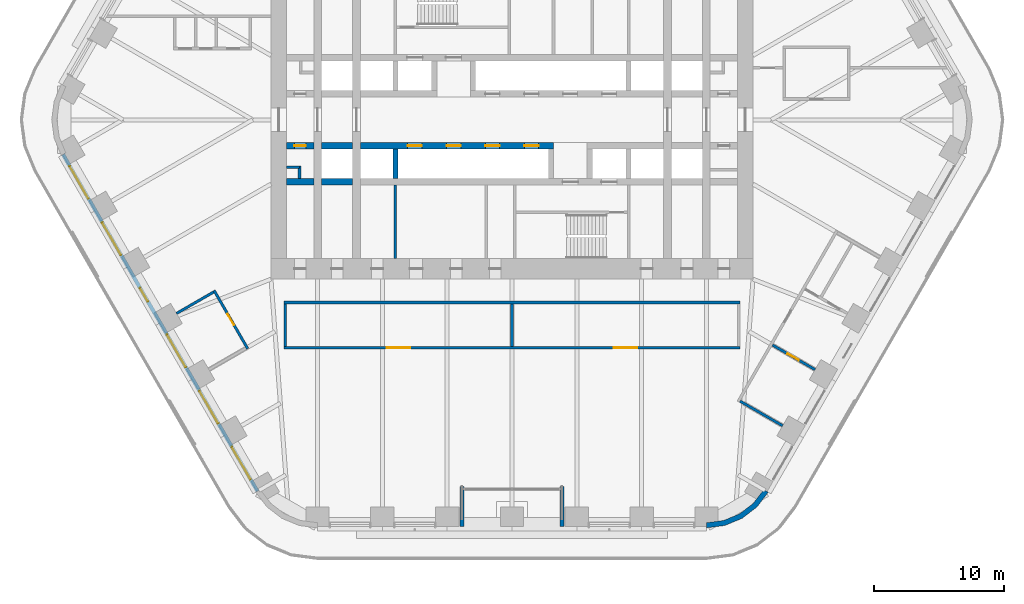
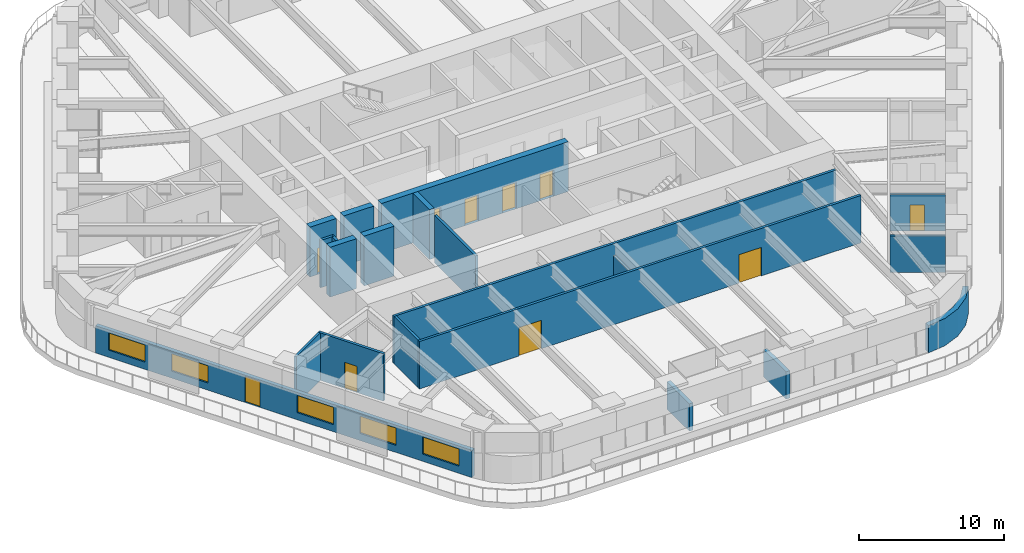
# One storey, part 17 of 24: 21 walls, 10 doors, 5 windows, 15 openings.
"""IFC4 building model written with IfcOpenShell, lengths in metres."""

import ifcopenshell
import ifcopenshell.guid

model = None  # the IFC model being written
_history = None  # IfcOwnerHistory: only IFC2X3 demands one
_inside = {}  # id of a spatial element -> (the spatial element, [elements in it])
_under = {}  # id of a project, library or spatial element -> (it, [spatial elements below it])
_declared = {}  # id of a project -> (the project, [libraries it declares])
_typed = {}  # id of a type object -> (the type object, [elements of that type])
_made_of = {}  # id of a material, layer set ... -> (it, [elements and type objects made of it])


def new_model(schema):
    """Start an empty IFC model of exactly this schema.

    Asked for "IFC4X3", IfcOpenShell would pick the latest addendum, in which some entities
    have other attributes; the version numbers below select the first issue.
    IFC2X3 requires an IfcOwnerHistory on every rooted entity: one is made here for all.
    """
    global model, _history
    if schema == "IFC4X3":
        model = ifcopenshell.file(schema_version=(4, 3, 0, 0))
    else:
        model = ifcopenshell.file(schema=schema)
    _inside.clear()
    _under.clear()
    _declared.clear()
    _typed.clear()
    _made_of.clear()
    _history = None
    if model.schema == "IFC2X3":
        org = make("IfcOrganization", Name="unknown")
        user = make(
            "IfcPersonAndOrganization",
            ThePerson=make("IfcPerson", FamilyName="unknown"),
            TheOrganization=org,
        )
        app = make(
            "IfcApplication",
            ApplicationDeveloper=org,
            Version="unknown",
            ApplicationFullName="unknown",
            ApplicationIdentifier="unknown",
        )
        _history = make(
            "IfcOwnerHistory",
            OwningUser=user,
            OwningApplication=app,
            ChangeAction="ADDED",
            CreationDate=0,
        )
    return model


def make(cls, **values):
    """One entity of the class cls with the attributes given. An attribute that is None is left unset."""
    return model.create_entity(
        cls, **{name: value for name, value in values.items() if value is not None}
    )


def rooted(cls, **values):
    """An entity with a GlobalId (a new one), such as an element, a storey or a relation."""
    return make(cls, GlobalId=ifcopenshell.guid.new(), OwnerHistory=_history, **values)


def si_unit(unit_type, name, prefix=None):
    """IfcSIUnit, for example si_unit("LENGTHUNIT", "METRE", prefix="MILLI")."""
    return make("IfcSIUnit", UnitType=unit_type, Prefix=prefix, Name=name)


def assignment(units):
    """IfcUnitAssignment: the units of a project."""
    return None if units is None else make("IfcUnitAssignment", Units=units)


def point(xyz):
    """IfcCartesianPoint."""
    return None if xyz is None else make("IfcCartesianPoint", Coordinates=xyz)


def direction(xyz):
    """IfcDirection."""
    return None if xyz is None else make("IfcDirection", DirectionRatios=xyz)


def frame(location, z_axis=None, x_axis=None):
    """IfcAxis2Placement3D, a coordinate frame: its origin and axes. An axis left out is left unset."""
    return make(
        "IfcAxis2Placement3D",
        Location=point(location),
        Axis=direction(z_axis),
        RefDirection=direction(x_axis),
    )


def frame_2d(location, x_axis=None):
    """IfcAxis2Placement2D, a coordinate frame in the plane: its origin and x axis."""
    return make(
        "IfcAxis2Placement2D", Location=point(location), RefDirection=direction(x_axis)
    )


def origin():
    """The frame at (0, 0, 0) with its axes left unset."""
    return frame((0.0, 0.0, 0.0))


def place(relative_to, where):
    """IfcLocalPlacement: puts the frame where relative to a parent placement (None: the world)."""
    return make(
        "IfcLocalPlacement", PlacementRelTo=relative_to, RelativePlacement=where
    )


def context(
    kind, dimensions, precision=None, world=None, true_north=None, identifier=None
):
    """IfcGeometricRepresentationContext, for example the 3D "Model" context."""
    return make(
        "IfcGeometricRepresentationContext",
        ContextIdentifier=identifier,
        ContextType=kind,
        CoordinateSpaceDimension=dimensions,
        Precision=precision,
        WorldCoordinateSystem=world,
        TrueNorth=true_north,
    )


def subcontext(parent, identifier, kind, view, scale=None):
    """IfcGeometricRepresentationSubContext, for example "Body" below "Model"."""
    return make(
        "IfcGeometricRepresentationSubContext",
        ContextIdentifier=identifier,
        ContextType=kind,
        ParentContext=parent,
        TargetScale=scale,
        TargetView=view,
    )


def project(units=None, contexts=None):
    """IfcProject with its units and contexts."""
    return rooted(
        "IfcProject",
        Name="project",
        RepresentationContexts=contexts,
        UnitsInContext=assignment(units),
    )


def spatial(cls, under=None, at=None, **own):
    """A site, building, storey or space (cls), placed at a placement, below another one or the project."""
    s = rooted(cls, ObjectPlacement=at, **own)
    if under is not None:
        _under.setdefault(under.id(), (under, []))[1].append(s)
    return s


def polyline(points):
    """IfcPolyline through the points."""
    return make("IfcPolyline", Points=[point(p) for p in points])


def profile(cls, at=None, kind="AREA", **sizes):
    """A parametric profile (cls). Its sizes go by their IFC names, for example OverallWidth=200.0."""
    return make(cls, ProfileType=kind, Position=at, **sizes)


def rectangle(**sizes):
    """IfcRectangleProfileDef."""
    return profile("IfcRectangleProfileDef", **sizes)


def outline(outer, holes=None, kind="AREA"):
    """IfcArbitraryClosedProfileDef: a profile drawn as a closed curve; with holes, ...WithVoids."""
    if holes is None:
        return make("IfcArbitraryClosedProfileDef", ProfileType=kind, OuterCurve=outer)
    return make(
        "IfcArbitraryProfileDefWithVoids",
        ProfileType=kind,
        OuterCurve=outer,
        InnerCurves=holes,
    )


def extrude(swept, where, along, depth):
    """IfcExtrudedAreaSolid: the profile swept, set in the frame where, extruded along a direction by depth."""
    return make(
        "IfcExtrudedAreaSolid",
        SweptArea=swept,
        Position=where,
        ExtrudedDirection=direction(along),
        Depth=depth,
    )


def shape(context_of_items, identifier, shape_type, items):
    """IfcShapeRepresentation: the items that make up one representation, for example the "Body"."""
    return make(
        "IfcShapeRepresentation",
        ContextOfItems=context_of_items,
        RepresentationIdentifier=identifier,
        RepresentationType=shape_type,
        Items=items,
    )


def material(Name=None, Category=None):
    """IfcMaterial."""
    return make("IfcMaterial", Name=Name, Category=Category)


def layer(
    of_material, thickness, ventilated=None, Name=None, Category=None, Priority=None
):
    """IfcMaterialLayer: one layer of a wall or slab, of a material (None: an air gap)."""
    return make(
        "IfcMaterialLayer",
        Material=of_material,
        LayerThickness=thickness,
        IsVentilated=ventilated,
        Name=Name,
        Category=Category,
        Priority=Priority,
    )


def layer_set(layers, Name=None):
    """IfcMaterialLayerSet."""
    return make("IfcMaterialLayerSet", MaterialLayers=layers, LayerSetName=Name)


def made_of(thing, what):
    """Note that an element or type object is made of a material, layer set ...; save() writes the relation."""
    if what is not None:
        _made_of.setdefault(what.id(), (what, []))[1].append(thing)
    return thing


def type_object(cls, material=None, **own):
    """A type object (cls), such as IfcWallType, which elements share."""
    return made_of(rooted(cls, **own), material)


def element(
    cls,
    number,
    at=None,
    inside=None,
    cuts=None,
    type_object=None,
    material=None,
    context=None,
    identifier="Body",
    shape_type=None,
    held_by="IfcProductDefinitionShape",
    body=None,
    shapes=None,
    **own,
):
    """One element of the class cls, such as IfcWall. Its Tag is "e" and its number.

    at: its placement. inside: the storey or other place that contains it. cuts: it is an
    opening in that element (IfcRelVoidsElement). A single representation is given by context,
    identifier, shape_type and body (its items); several are given by shapes. held_by: the class
    of the entity that holds the representations. save() writes the other relations.
    """
    e = rooted(cls, Tag="e%d" % number, ObjectPlacement=at, **own)
    if body is not None:
        shapes = [shape(context, identifier, shape_type, body)]
    if shapes is not None:
        e.Representation = make(held_by, Representations=shapes)
    if inside is not None:
        _inside.setdefault(inside.id(), (inside, []))[1].append(e)
    if cuts is not None:
        rooted(
            "IfcRelVoidsElement", RelatingBuildingElement=cuts, RelatedOpeningElement=e
        )
    if type_object is not None:
        _typed.setdefault(type_object.id(), (type_object, []))[1].append(e)
    return made_of(e, material)


def fill(opening, filler):
    """IfcRelFillsElement: the door or window that sits in an opening."""
    return rooted(
        "IfcRelFillsElement",
        RelatingOpeningElement=opening,
        RelatedBuildingElement=filler,
    )


def aggregate(whole, parts):
    """IfcRelAggregates: a whole, such as a stair, and the parts it consists of."""
    return rooted("IfcRelAggregates", RelatingObject=whole, RelatedObjects=parts)


def save(model, path):
    """Write the relations noted so far, then the file.

    IfcRelAggregates (storeys below a building ...), IfcRelContainedInSpatialStructure (elements
    in a storey), IfcRelDefinesByType, IfcRelAssociatesMaterial and IfcRelDeclares: one each for
    every whole, place, type object, material and project.
    """
    for whole, parts in _under.values():
        aggregate(whole, parts)
    for where, things in _inside.values():
        rooted(
            "IfcRelContainedInSpatialStructure",
            RelatedElements=things,
            RelatingStructure=where,
        )
    for kind, things in _typed.values():
        rooted("IfcRelDefinesByType", RelatedObjects=things, RelatingType=kind)
    for what, things in _made_of.values():
        rooted("IfcRelAssociatesMaterial", RelatedObjects=things, RelatingMaterial=what)
    for by, libraries in _declared.values():
        rooted("IfcRelDeclares", RelatingContext=by, RelatedDefinitions=libraries)
    model.write(path)


model = new_model("IFC4")

# Units and contexts
model_context = context("Model", 3, precision=1e-05, world=origin(), true_north=direction((0.0, 1.0)))
body_context = subcontext(model_context, "Body", "Model", "MODEL_VIEW")
ifc_project = project(units=[si_unit("LENGTHUNIT", "METRE"), si_unit("AREAUNIT", "SQUARE_METRE"), si_unit("VOLUMEUNIT", "CUBIC_METRE"), si_unit("PLANEANGLEUNIT", "RADIAN"), si_unit("MASSUNIT", "GRAM", prefix="KILO")], contexts=[model_context])

# Site, building, storey
site_placement = place(None, origin())
site = spatial("IfcSite", under=ifc_project, at=site_placement, CompositionType="ELEMENT")
building_placement = place(site_placement, origin())
building = spatial("IfcBuilding", under=site, at=building_placement, Name="Tarfa Lantern Tower", CompositionType="ELEMENT")
storey_placement = place(building_placement, frame((0.0, 0.0, 132.10009765625)))
storey = spatial("IfcBuildingStorey", under=building, at=storey_placement, Name="L29", CompositionType="ELEMENT", Elevation=132.10009765625)

# Wall, openings, door, windows
ifc_material_1 = material(Name="Limestone cladding on blockwork", Category="masonry")
ifc_layer_1 = layer(ifc_material_1, 0.300048828125)
ifc_layer_set_1 = layer_set([ifc_layer_1], Name="EW1 STONE-CLAD WALL 300")
wall_type_1 = type_object("IfcWallType", Name="EW1 STONE-CLAD WALL 300", PredefinedType="SOLIDWALL", material=ifc_layer_set_1)
wall_1_placement = place(storey_placement, frame((-34.655517578125, -2.675048828125, 0.0), z_axis=(0.0, 0.0, 1.0), x_axis=(0.500003084452, -0.866023622968, 0.0)))
wall_1 = element("IfcWall", 1, at=wall_1_placement, inside=storey, type_object=wall_type_1, Name="Stone wall SW", PredefinedType="SOLIDWALL", context=body_context, shape_type="SweptSolid", body=[
    extrude(rectangle(XDim=30.022216796875, YDim=0.300048828125, at=frame_2d((15.01123046875, 0.0))), origin(), (0.0, 0.0, 1.0), 2.2998046875),
])
opening_1_placement = place(wall_1_placement, frame((1.0517578125, 0.0, 0.60009765625)))
opening_1 = element("IfcOpeningElement", 2, at=opening_1_placement, cuts=wall_1, Name="Opening W8", PredefinedType="OPENING", context=body_context, shape_type="SweptSolid", body=[
    extrude(rectangle(XDim=2.89990234375, YDim=1.449951171875, at=frame_2d((1.449951171875, 0.72509765625))), frame((0.0, 0.159912109375, 0.0), z_axis=(0.0, -1.0, 0.0), x_axis=(1.0, 0.0, 0.0)), (0.0, 0.0, 1.0), 0.320068359375),
])
opening_2_placement = place(wall_1_placement, frame((6.0556640625, 0.0, 0.60009765625)))
opening_2 = element("IfcOpeningElement", 3, at=opening_2_placement, cuts=wall_1, Name="Opening W8", PredefinedType="OPENING", context=body_context, shape_type="SweptSolid", body=[
    extrude(rectangle(XDim=2.89990234375, YDim=1.449951171875, at=frame_2d((1.449951171875, 0.72509765625))), frame((0.0, 0.159912109375, 0.0), z_axis=(0.0, -1.0, 0.0), x_axis=(1.0, 0.0, 0.0)), (0.0, 0.0, 1.0), 0.320068359375),
])
opening_3_placement = place(wall_1_placement, frame((11.9091796875, 0.0, 0.0)))
opening_3 = element("IfcOpeningElement", 4, at=opening_3_placement, cuts=wall_1, Name="Opening D50", PredefinedType="OPENING", context=body_context, shape_type="SweptSolid", body=[
    extrude(rectangle(XDim=1.199951171875, YDim=2.199951171875, at=frame_2d((0.60009765625, 1.10009765625))), frame((0.0, 0.159912109375, 0.0), z_axis=(0.0, -1.0, 0.0), x_axis=(1.0, 0.0, 0.0)), (0.0, 0.0, 1.0), 0.320068359375),
])
opening_4_placement = place(wall_1_placement, frame((16.06298828125, 0.0, 0.60009765625)))
opening_4 = element("IfcOpeningElement", 5, at=opening_4_placement, cuts=wall_1, Name="Opening W8", PredefinedType="OPENING", context=body_context, shape_type="SweptSolid", body=[
    extrude(rectangle(XDim=2.89990234375, YDim=1.449951171875, at=frame_2d((1.449951171875, 0.72509765625))), frame((0.0, 0.159912109375, 0.0), z_axis=(0.0, -1.0, 0.0), x_axis=(1.0, 0.0, 0.0)), (0.0, 0.0, 1.0), 0.320068359375),
])
opening_5_placement = place(wall_1_placement, frame((21.066650390625, 0.0, 0.60009765625)))
opening_5 = element("IfcOpeningElement", 6, at=opening_5_placement, cuts=wall_1, Name="Opening W8", PredefinedType="OPENING", context=body_context, shape_type="SweptSolid", body=[
    extrude(rectangle(XDim=2.89990234375, YDim=1.449951171875, at=frame_2d((1.449951171875, 0.72509765625))), frame((0.0, 0.159912109375, 0.0), z_axis=(0.0, -1.0, 0.0), x_axis=(1.0, 0.0, 0.0)), (0.0, 0.0, 1.0), 0.320068359375),
])
opening_6_placement = place(wall_1_placement, frame((26.0703125, 0.0, 0.60009765625)))
opening_6 = element("IfcOpeningElement", 7, at=opening_6_placement, cuts=wall_1, Name="Opening W8", PredefinedType="OPENING", context=body_context, shape_type="SweptSolid", body=[
    extrude(rectangle(XDim=2.89990234375, YDim=1.449951171875, at=frame_2d((1.449951171875, 0.72509765625))), frame((0.0, 0.159912109375, 0.0), z_axis=(0.0, -1.0, 0.0), x_axis=(1.0, 0.0, 0.0)), (0.0, 0.0, 1.0), 0.320068359375),
])
ifc_material_2 = material(Name="Aluminium framed glazed door", Category="aluminium")
door_type_1 = type_object("IfcDoorType", Name="BE5 BALCONY DOOR 1200x2200", OperationType="SINGLE_SWING_RIGHT", PredefinedType="DOOR", material=ifc_material_2)
door_1_placement = place(opening_3_placement, origin())
door_1 = element("IfcDoor", 8, at=door_1_placement, inside=storey, type_object=door_type_1, Name="Balcony door SW", OperationType="SINGLE_SWING_LEFT", OverallHeight=2.199951171875, OverallWidth=1.199951171875, PredefinedType="DOOR", context=body_context, shape_type="SweptSolid", body=[
    extrude(rectangle(XDim=1.199951171875, YDim=2.199951171875, at=frame_2d((0.60009765625, 1.10009765625))), frame((0.0, 0.02490234375, 0.0), z_axis=(0.0, -1.0, 0.0), x_axis=(1.0, 0.0, 0.0)), (0.0, 0.0, 1.0), 0.050048828125),
])
fill(opening_3, door_1)
ifc_material_3 = material(Name="Aluminium frame, double glazed", Category="aluminium")
window_type = type_object("IfcWindowType", Name="W8 FULL-HEIGHT GLAZING 2900x1450", PartitioningType="SINGLE_PANEL", PredefinedType="WINDOW", material=ifc_material_3)
window_1_placement = place(opening_1_placement, origin())
window_1 = element("IfcWindow", 9, at=window_1_placement, inside=storey, type_object=window_type, Name="Window SW 1", OverallHeight=1.449951171875, OverallWidth=2.89990234375, PartitioningType="SINGLE_PANEL", PredefinedType="WINDOW", context=body_context, shape_type="SweptSolid", body=[
    extrude(rectangle(XDim=2.89990234375, YDim=1.449951171875, at=frame_2d((1.449951171875, 0.72509765625))), frame((0.0, 0.030029296875, 0.0), z_axis=(0.0, -1.0, 0.0), x_axis=(1.0, 0.0, 0.0)), (0.0, 0.0, 1.0), 0.06005859375),
])
fill(opening_1, window_1)
window_2_placement = place(opening_2_placement, origin())
window_2 = element("IfcWindow", 10, at=window_2_placement, inside=storey, type_object=window_type, Name="Window SW 2", OverallHeight=1.449951171875, OverallWidth=2.89990234375, PartitioningType="SINGLE_PANEL", PredefinedType="WINDOW", context=body_context, shape_type="SweptSolid", body=[
    extrude(rectangle(XDim=2.89990234375, YDim=1.449951171875, at=frame_2d((1.449951171875, 0.72509765625))), frame((0.0, 0.030029296875, 0.0), z_axis=(0.0, -1.0, 0.0), x_axis=(1.0, 0.0, 0.0)), (0.0, 0.0, 1.0), 0.06005859375),
])
fill(opening_2, window_2)
window_3_placement = place(opening_4_placement, origin())
window_3 = element("IfcWindow", 11, at=window_3_placement, inside=storey, type_object=window_type, Name="Window SW 4", OverallHeight=1.449951171875, OverallWidth=2.89990234375, PartitioningType="SINGLE_PANEL", PredefinedType="WINDOW", context=body_context, shape_type="SweptSolid", body=[
    extrude(rectangle(XDim=2.89990234375, YDim=1.449951171875, at=frame_2d((1.449951171875, 0.72509765625))), frame((0.0, 0.030029296875, 0.0), z_axis=(0.0, -1.0, 0.0), x_axis=(1.0, 0.0, 0.0)), (0.0, 0.0, 1.0), 0.06005859375),
])
fill(opening_4, window_3)
window_4_placement = place(opening_5_placement, origin())
window_4 = element("IfcWindow", 12, at=window_4_placement, inside=storey, type_object=window_type, Name="Window SW 5", OverallHeight=1.449951171875, OverallWidth=2.89990234375, PartitioningType="SINGLE_PANEL", PredefinedType="WINDOW", context=body_context, shape_type="SweptSolid", body=[
    extrude(rectangle(XDim=2.89990234375, YDim=1.449951171875, at=frame_2d((1.449951171875, 0.72509765625))), frame((0.0, 0.030029296875, 0.0), z_axis=(0.0, -1.0, 0.0), x_axis=(1.0, 0.0, 0.0)), (0.0, 0.0, 1.0), 0.06005859375),
])
fill(opening_5, window_4)
window_5_placement = place(opening_6_placement, origin())
window_5 = element("IfcWindow", 13, at=window_5_placement, inside=storey, type_object=window_type, Name="Window SW 6", OverallHeight=1.449951171875, OverallWidth=2.89990234375, PartitioningType="SINGLE_PANEL", PredefinedType="WINDOW", context=body_context, shape_type="SweptSolid", body=[
    extrude(rectangle(XDim=2.89990234375, YDim=1.449951171875, at=frame_2d((1.449951171875, 0.72509765625))), frame((0.0, 0.030029296875, 0.0), z_axis=(0.0, -1.0, 0.0), x_axis=(1.0, 0.0, 0.0)), (0.0, 0.0, 1.0), 0.06005859375),
])
fill(opening_6, window_5)

# Walls
for number, where, z_axis, x_axis, name in (
    (14, (-3.853759765625, -31.39990234375, 0.0), (0.0, 0.0, 1.0), (0.0, 1.0, 0.0), "Loggia return S 1"),
    (15, (3.853759765625, -31.39990234375, 0.0), (0.0, 0.0, 1.0), (0.0, 1.0, 0.0), "Loggia return S 2"),
):
    element("IfcWall", number, at=place(storey_placement, frame(where, z_axis=z_axis, x_axis=x_axis)), inside=storey, type_object=wall_type_1, Name=name, PredefinedType="SOLIDWALL", context=body_context, shape_type="SweptSolid", body=[
        extrude(rectangle(XDim=3.099853515625, YDim=0.300048828125, at=frame_2d((1.5498046875, 0.0))), origin(), (0.0, 0.0, 1.0), 2.2998046875),
    ])
ifc_layer_2 = layer(ifc_material_1, 0.39990234375)
ifc_layer_set_2 = layer_set([ifc_layer_2], Name="EW2 CURVED STONE CORNER 400")
wall_type_2 = type_object("IfcWallType", Name="EW2 CURVED STONE CORNER 400", PredefinedType="SOLIDWALL", material=ifc_layer_set_2)
wall_2_placement = place(storey_placement, origin())
element("IfcWall", 16, at=wall_2_placement, inside=storey, type_object=wall_type_2, Name="Stone corner S-SE", PredefinedType="SOLIDWALL", context=body_context, shape_type="SweptSolid", body=[
    extrude(outline(polyline([(15.010986328125, -31.5), (16.4345703125, -31.3125), (17.760986328125, -30.76318359375), (18.900146484375, -29.88916015625), (19.774169921875, -28.75), (19.427734375, -28.550048828125), (18.617431640625, -29.606201171875), (17.56103515625, -30.416748046875), (16.3310546875, -30.92626953125), (15.010986328125, -31.10009765625), (15.010986328125, -31.5)])), origin(), (0.0, 0.0, 1.0), 2.2998046875),
])
ifc_material_4 = material(Name="Concrete blockwork", Category="masonry")
ifc_layer_3 = layer(ifc_material_4, 0.199951171875)
ifc_layer_set_3 = layer_set([ifc_layer_3], Name="IW1 BLOCKWORK PARTITION 200 EI 120")
wall_type_3 = type_object("IfcWallType", Name="IW1 BLOCKWORK PARTITION 200 EI 120", PredefinedType="PARTITIONING", material=ifc_layer_set_3)
wall_3_placement = place(storey_placement, frame((-9.0, -5.050048828125, 0.0), z_axis=(0.0, 0.0, 1.0), x_axis=(0.0, -1.0, 0.0)))
element("IfcWall", 17, at=wall_3_placement, inside=storey, type_object=wall_type_3, Name="Core partition", PredefinedType="PARTITIONING", context=body_context, shape_type="SweptSolid", body=[
    extrude(rectangle(XDim=5.64990234375, YDim=0.199951171875, at=frame_2d((2.824951171875, 0.0))), origin(), (0.0, 0.0, 1.0), 4.0),
])
for number, where, z_axis, x_axis, name in (
    (18, (-16.39990234375, -3.64990234375, 0.0), (0.0, 0.0, 1.0), (-1.0, 0.0, 0.0), "Core partition"),
    (19, (-16.39990234375, -3.550048828125, 0.0), (0.0, 0.0, 1.0), (0.0, -1.0, 0.0), "Core partition"),
):
    element("IfcWall", number, at=place(storey_placement, frame(where, z_axis=z_axis, x_axis=x_axis)), inside=storey, type_object=wall_type_3, Name=name, PredefinedType="PARTITIONING", context=body_context, shape_type="SweptSolid", body=[
        extrude(rectangle(XDim=1.0, YDim=0.199951171875, at=frame_2d((0.5, 0.0))), origin(), (0.0, 0.0, 1.0), 4.0),
    ])
ifc_material_5 = material(Name="Gypsum board on steel studs", Category="steel")
ifc_layer_4 = layer(ifc_material_5, 0.2099609375)
ifc_layer_set_4 = layer_set([ifc_layer_4], Name="IW2 ACOUSTIC PARTITION 200")
wall_type_4 = type_object("IfcWallType", Name="IW2 ACOUSTIC PARTITION 200", PredefinedType="PARTITIONING", material=ifc_layer_set_4)
wall_4_placement = place(storey_placement, frame((17.60009765625, -14.10009765625, 0.0), z_axis=(0.0, 0.0, 1.0), x_axis=(-1.0, 0.0, 0.0)))
element("IfcWall", 20, at=wall_4_placement, inside=storey, type_object=wall_type_4, Name="Partition", PredefinedType="PARTITIONING", context=body_context, shape_type="SweptSolid", body=[
    extrude(rectangle(XDim=35.2001953125, YDim=0.199951171875, at=frame_2d((17.60009765625, 0.0))), origin(), (0.0, 0.0, 1.0), 4.0),
])

# Wall, openings, doors
wall_5_placement = place(storey_placement, frame((17.60009765625, -17.60009765625, 0.0), z_axis=(0.0, 0.0, 1.0), x_axis=(-1.0, 0.0, 0.0)))
wall_5 = element("IfcWall", 21, at=wall_5_placement, inside=storey, type_object=wall_type_4, Name="Partition", PredefinedType="PARTITIONING", context=body_context, shape_type="SweptSolid", body=[
    extrude(rectangle(XDim=35.2001953125, YDim=0.199951171875, at=frame_2d((17.60009765625, 0.0))), origin(), (0.0, 0.0, 1.0), 4.0),
])
opening_7_placement = place(wall_5_placement, frame((7.949951171875, 0.0, 0.0)))
opening_7 = element("IfcOpeningElement", 22, at=opening_7_placement, cuts=wall_5, Name="Opening D42", PredefinedType="OPENING", context=body_context, shape_type="SweptSolid", body=[
    extrude(rectangle(XDim=1.800048828125, YDim=2.39990234375, at=frame_2d((0.89990234375, 1.199951171875))), frame((0.0, 0.10986328125, 0.0), z_axis=(0.0, -1.0, 0.0), x_axis=(1.0, 0.0, 0.0)), (0.0, 0.0, 1.0), 0.219970703125),
])
opening_8_placement = place(wall_5_placement, frame((25.449951171875, 0.0, 0.0)))
opening_8 = element("IfcOpeningElement", 23, at=opening_8_placement, cuts=wall_5, Name="Opening D43", PredefinedType="OPENING", context=body_context, shape_type="SweptSolid", body=[
    extrude(rectangle(XDim=1.800048828125, YDim=2.39990234375, at=frame_2d((0.89990234375, 1.199951171875))), frame((0.0, 0.10986328125, 0.0), z_axis=(0.0, -1.0, 0.0), x_axis=(1.0, 0.0, 0.0)), (0.0, 0.0, 1.0), 0.219970703125),
])
ifc_material_6 = material(Name="Timber door", Category="wood")
door_type_2 = type_object("IfcDoorType", Name="DR2 ROOM DOOR 1800x2400", OperationType="DOUBLE_DOOR_SINGLE_SWING", PredefinedType="DOOR", material=ifc_material_6)
door_2_placement = place(opening_7_placement, frame((1.800048828125, 0.0, 0.0), z_axis=(0.0, 0.0, 1.0), x_axis=(-1.0, 0.0, 0.0)))
door_2 = element("IfcDoor", 24, at=door_2_placement, inside=storey, type_object=door_type_2, Name="Meeting room door", OperationType="DOUBLE_DOOR_SINGLE_SWING", OverallHeight=2.39990234375, OverallWidth=1.800048828125, PredefinedType="DOOR", context=body_context, shape_type="SweptSolid", body=[
    extrude(rectangle(XDim=1.800048828125, YDim=2.39990234375, at=frame_2d((0.89990234375, 1.199951171875))), frame((0.0, 0.02490234375, 0.0), z_axis=(0.0, -1.0, 0.0), x_axis=(1.0, 0.0, 0.0)), (0.0, 0.0, 1.0), 0.050048828125),
])
fill(opening_7, door_2)
door_3_placement = place(opening_8_placement, frame((1.800048828125, 0.0, 0.0), z_axis=(0.0, 0.0, 1.0), x_axis=(-1.0, 0.0, 0.0)))
door_3 = element("IfcDoor", 25, at=door_3_placement, inside=storey, type_object=door_type_2, Name="File room door", OperationType="DOUBLE_DOOR_SINGLE_SWING", OverallHeight=2.39990234375, OverallWidth=1.800048828125, PredefinedType="DOOR", context=body_context, shape_type="SweptSolid", body=[
    extrude(rectangle(XDim=1.800048828125, YDim=2.39990234375, at=frame_2d((0.89990234375, 1.199951171875))), frame((0.0, 0.02490234375, 0.0), z_axis=(0.0, -1.0, 0.0), x_axis=(1.0, 0.0, 0.0)), (0.0, 0.0, 1.0), 0.050048828125),
])
fill(opening_8, door_3)

# Walls
wall_6_placement = place(storey_placement, frame((0.0, -14.199951171875, 0.0), z_axis=(0.0, 0.0, 1.0), x_axis=(0.0, -1.0, 0.0)))
element("IfcWall", 26, at=wall_6_placement, inside=storey, type_object=wall_type_4, Name="Partition", PredefinedType="PARTITIONING", context=body_context, shape_type="SweptSolid", body=[
    extrude(rectangle(XDim=3.300048828125, YDim=0.199951171875, at=frame_2d((1.64990234375, 0.0))), origin(), (0.0, 0.0, 1.0), 2.99169921875),
])
wall_7_placement = place(storey_placement, frame((-17.5, -14.199951171875, 0.0), z_axis=(0.0, 0.0, 1.0), x_axis=(0.0, -1.0, 0.0)))
element("IfcWall", 27, at=wall_7_placement, inside=storey, type_object=wall_type_4, Name="Partition", PredefinedType="PARTITIONING", context=body_context, shape_type="SweptSolid", body=[
    extrude(rectangle(XDim=3.300048828125, YDim=0.199951171875, at=frame_2d((1.64990234375, 0.0))), origin(), (0.0, 0.0, 1.0), 4.0),
])
wall_8_placement = place(storey_placement, frame((17.599609375, -21.716552734375, 0.0), z_axis=(0.0, 0.0, 1.0), x_axis=(0.866000483506, -0.500043160704, 0.0)))
element("IfcWall", 28, at=wall_8_placement, inside=storey, type_object=wall_type_4, Name="Partition", PredefinedType="PARTITIONING", context=body_context, shape_type="SweptSolid", body=[
    extrude(rectangle(XDim=3.800048828125, YDim=0.199951171875, at=frame_2d((1.89990234375, 0.0))), origin(), (0.0, 0.0, 1.0), 3.08154296875),
])

# Wall, opening, door
wall_9_placement = place(storey_placement, frame((20.101318359375, -17.38330078125, 0.0), z_axis=(0.0, 0.0, 1.0), x_axis=(0.86601654697, -0.500015340139, 0.0)))
wall_9 = element("IfcWall", 29, at=wall_9_placement, inside=storey, type_object=wall_type_4, Name="Partition", PredefinedType="PARTITIONING", context=body_context, shape_type="SweptSolid", body=[
    extrude(rectangle(XDim=3.80029296875, YDim=0.199951171875, at=frame_2d((1.900146484375, 0.0))), origin(), (0.0, 0.0, 1.0), 3.08154296875),
])
opening_9_placement = place(wall_9_placement, frame((1.35009765625, 0.0, 0.0)))
opening_9 = element("IfcOpeningElement", 30, at=opening_9_placement, cuts=wall_9, Name="Opening D37", PredefinedType="OPENING", context=body_context, shape_type="SweptSolid", body=[
    extrude(rectangle(XDim=1.0, YDim=2.199951171875, at=frame_2d((0.5, 1.10009765625))), frame((0.0, 0.10986328125, 0.0), z_axis=(0.0, -1.0, 0.0), x_axis=(1.0, 0.0, 0.0)), (0.0, 0.0, 1.0), 0.219970703125),
])
door_type_3 = type_object("IfcDoorType", Name="DR1 ROOM DOOR 1000x2200", OperationType="SINGLE_SWING_LEFT", PredefinedType="DOOR", material=ifc_material_6)
door_4_placement = place(opening_9_placement, origin())
door_4 = element("IfcDoor", 31, at=door_4_placement, inside=storey, type_object=door_type_3, Name="Controller's office door", OperationType="SINGLE_SWING_RIGHT", OverallHeight=2.199951171875, OverallWidth=1.0, PredefinedType="DOOR", context=body_context, shape_type="SweptSolid", body=[
    extrude(rectangle(XDim=1.0, YDim=2.199951171875, at=frame_2d((0.5, 1.10009765625))), frame((0.0, 0.02490234375, 0.0), z_axis=(0.0, -1.0, 0.0), x_axis=(1.0, 0.0, 0.0)), (0.0, 0.0, 1.0), 0.050048828125),
])
fill(opening_9, door_4)

wall_10_placement = place(storey_placement, frame((-22.999755859375, -13.163330078125, 0.0), z_axis=(0.0, 0.0, 1.0), x_axis=(0.500024327116, -0.866011358062, 0.0)))
wall_10 = element("IfcWall", 32, at=wall_10_placement, inside=storey, type_object=wall_type_4, Name="Partition", PredefinedType="PARTITIONING", context=body_context, shape_type="SweptSolid", body=[
    extrude(rectangle(XDim=5.203857421875, YDim=0.199951171875, at=frame_2d((2.60205078125, 0.0))), origin(), (0.0, 0.0, 1.0), 4.0),
])
opening_10_placement = place(wall_10_placement, frame((2.101806640625, 0.0, 0.0)))
opening_10 = element("IfcOpeningElement", 33, at=opening_10_placement, cuts=wall_10, Name="Opening D41", PredefinedType="OPENING", context=body_context, shape_type="SweptSolid", body=[
    extrude(rectangle(XDim=1.0, YDim=2.199951171875, at=frame_2d((0.5, 1.10009765625))), frame((0.0, 0.10986328125, 0.0), z_axis=(0.0, -1.0, 0.0), x_axis=(1.0, 0.0, 0.0)), (0.0, 0.0, 1.0), 0.219970703125),
])
door_5_placement = place(opening_10_placement, frame((1.0, 0.0, 0.0), z_axis=(0.0, 0.0, 1.0), x_axis=(-1.0, 0.0, 0.0)))
door_5 = element("IfcDoor", 34, at=door_5_placement, inside=storey, type_object=door_type_3, Name="File room door", OperationType="SINGLE_SWING_RIGHT", OverallHeight=2.199951171875, OverallWidth=1.0, PredefinedType="DOOR", context=body_context, shape_type="SweptSolid", body=[
    extrude(rectangle(XDim=1.0, YDim=2.199951171875, at=frame_2d((0.5, 1.10009765625))), frame((0.0, 0.02490234375, 0.0), z_axis=(0.0, -1.0, 0.0), x_axis=(1.0, 0.0, 0.0)), (0.0, 0.0, 1.0), 0.050048828125),
])
fill(opening_10, door_5)

# Wall
wall_11_placement = place(storey_placement, frame((-23.036376953125, -13.300048828125, 0.0), z_axis=(0.0, 0.0, 1.0), x_axis=(-0.866021716278, -0.500006386895, 0.0)))
element("IfcWall", 35, at=wall_11_placement, inside=storey, type_object=wall_type_4, Name="Partition", PredefinedType="PARTITIONING", context=body_context, shape_type="SweptSolid", body=[
    extrude(rectangle(XDim=3.2998046875, YDim=0.199951171875, at=frame_2d((1.64990234375, 0.0))), origin(), (0.0, 0.0, 1.0), 4.0),
])

# Wall, openings, doors
ifc_material_7 = material(Name="Concrete C80/95", Category="concrete")
ifc_layer_5 = layer(ifc_material_7, 0.5)
ifc_layer_set_5 = layer_set([ifc_layer_5], Name="SW5 CORE WALL 500")
wall_type_5 = type_object("IfcWallType", Name="SW5 CORE WALL 500", PredefinedType="SHEAR", material=ifc_layer_set_5)
wall_12_placement = place(storey_placement, frame((3.199951171875, -2.0, 0.0), z_axis=(0.0, 0.0, 1.0), x_axis=(-1.0, 0.0, 0.0)))
wall_12 = element("IfcWall", 36, at=wall_12_placement, inside=storey, type_object=wall_type_5, Name="Core wall lobby east S", PredefinedType="SHEAR", context=body_context, shape_type="SweptSolid", body=[
    extrude(rectangle(XDim=14.89990234375, YDim=0.5, at=frame_2d((7.449951171875, 0.0))), origin(), (0.0, 0.0, 1.0), 4.199951171875),
])
opening_11_placement = place(wall_12_placement, frame((1.14990234375, 0.0, 0.0)))
opening_11 = element("IfcOpeningElement", 37, at=opening_11_placement, cuts=wall_12, Name="Opening LD07", PredefinedType="OPENING", context=body_context, shape_type="SweptSolid", body=[
    extrude(rectangle(XDim=1.10009765625, YDim=2.199951171875, at=frame_2d((0.550048828125, 1.10009765625))), frame((0.0, 0.260009765625, 0.0), z_axis=(0.0, -1.0, 0.0), x_axis=(1.0, 0.0, 0.0)), (0.0, 0.0, 1.0), 0.52001953125),
])
opening_12_placement = place(wall_12_placement, frame((4.14990234375, 0.0, 0.0)))
opening_12 = element("IfcOpeningElement", 38, at=opening_12_placement, cuts=wall_12, Name="Opening LD08", PredefinedType="OPENING", context=body_context, shape_type="SweptSolid", body=[
    extrude(rectangle(XDim=1.10009765625, YDim=2.199951171875, at=frame_2d((0.550048828125, 1.10009765625))), frame((0.0, 0.260009765625, 0.0), z_axis=(0.0, -1.0, 0.0), x_axis=(1.0, 0.0, 0.0)), (0.0, 0.0, 1.0), 0.52001953125),
])
opening_13_placement = place(wall_12_placement, frame((7.14990234375, 0.0, 0.0)))
opening_13 = element("IfcOpeningElement", 39, at=opening_13_placement, cuts=wall_12, Name="Opening LD09", PredefinedType="OPENING", context=body_context, shape_type="SweptSolid", body=[
    extrude(rectangle(XDim=1.10009765625, YDim=2.199951171875, at=frame_2d((0.550048828125, 1.10009765625))), frame((0.0, 0.260009765625, 0.0), z_axis=(0.0, -1.0, 0.0), x_axis=(1.0, 0.0, 0.0)), (0.0, 0.0, 1.0), 0.52001953125),
])
opening_14_placement = place(wall_12_placement, frame((10.14990234375, 0.0, 0.0)))
opening_14 = element("IfcOpeningElement", 40, at=opening_14_placement, cuts=wall_12, Name="Opening LD10", PredefinedType="OPENING", context=body_context, shape_type="SweptSolid", body=[
    extrude(rectangle(XDim=1.10009765625, YDim=2.199951171875, at=frame_2d((0.550048828125, 1.10009765625))), frame((0.0, 0.260009765625, 0.0), z_axis=(0.0, -1.0, 0.0), x_axis=(1.0, 0.0, 0.0)), (0.0, 0.0, 1.0), 0.52001953125),
])
ifc_material_8 = material(Name="Stainless steel lift door", Category="steel")
door_type_4 = type_object("IfcDoorType", Name="LD2 LIFT LANDING DOOR 1100x2200", OperationType="SLIDING_TO_LEFT", PredefinedType="DOOR", material=ifc_material_8)
door_6_placement = place(opening_11_placement, frame((1.10009765625, 0.0, 0.0), z_axis=(0.0, 0.0, 1.0), x_axis=(-1.0, 0.0, 0.0)))
door_6 = element("IfcDoor", 41, at=door_6_placement, inside=storey, type_object=door_type_4, Name="Landing door PB5", OperationType="SLIDING_TO_LEFT", OverallHeight=2.199951171875, OverallWidth=1.10009765625, PredefinedType="DOOR", context=body_context, shape_type="SweptSolid", body=[
    extrude(rectangle(XDim=1.10009765625, YDim=2.199951171875, at=frame_2d((0.550048828125, 1.10009765625))), frame((0.0, 0.02490234375, 0.0), z_axis=(0.0, -1.0, 0.0), x_axis=(1.0, 0.0, 0.0)), (0.0, 0.0, 1.0), 0.050048828125),
])
fill(opening_11, door_6)
door_7_placement = place(opening_12_placement, frame((1.10009765625, 0.0, 0.0), z_axis=(0.0, 0.0, 1.0), x_axis=(-1.0, 0.0, 0.0)))
door_7 = element("IfcDoor", 42, at=door_7_placement, inside=storey, type_object=door_type_4, Name="Landing door PB6", OperationType="SLIDING_TO_LEFT", OverallHeight=2.199951171875, OverallWidth=1.10009765625, PredefinedType="DOOR", context=body_context, shape_type="SweptSolid", body=[
    extrude(rectangle(XDim=1.10009765625, YDim=2.199951171875, at=frame_2d((0.550048828125, 1.10009765625))), frame((0.0, 0.02490234375, 0.0), z_axis=(0.0, -1.0, 0.0), x_axis=(1.0, 0.0, 0.0)), (0.0, 0.0, 1.0), 0.050048828125),
])
fill(opening_12, door_7)
door_8_placement = place(opening_13_placement, frame((1.10009765625, 0.0, 0.0), z_axis=(0.0, 0.0, 1.0), x_axis=(-1.0, 0.0, 0.0)))
door_8 = element("IfcDoor", 43, at=door_8_placement, inside=storey, type_object=door_type_4, Name="Landing door PB7", OperationType="SLIDING_TO_LEFT", OverallHeight=2.199951171875, OverallWidth=1.10009765625, PredefinedType="DOOR", context=body_context, shape_type="SweptSolid", body=[
    extrude(rectangle(XDim=1.10009765625, YDim=2.199951171875, at=frame_2d((0.550048828125, 1.10009765625))), frame((0.0, 0.02490234375, 0.0), z_axis=(0.0, -1.0, 0.0), x_axis=(1.0, 0.0, 0.0)), (0.0, 0.0, 1.0), 0.050048828125),
])
fill(opening_13, door_8)
door_9_placement = place(opening_14_placement, frame((1.10009765625, 0.0, 0.0), z_axis=(0.0, 0.0, 1.0), x_axis=(-1.0, 0.0, 0.0)))
door_9 = element("IfcDoor", 44, at=door_9_placement, inside=storey, type_object=door_type_4, Name="Landing door PB8", OperationType="SLIDING_TO_LEFT", OverallHeight=2.199951171875, OverallWidth=1.10009765625, PredefinedType="DOOR", context=body_context, shape_type="SweptSolid", body=[
    extrude(rectangle(XDim=1.10009765625, YDim=2.199951171875, at=frame_2d((0.550048828125, 1.10009765625))), frame((0.0, 0.02490234375, 0.0), z_axis=(0.0, -1.0, 0.0), x_axis=(1.0, 0.0, 0.0)), (0.0, 0.0, 1.0), 0.050048828125),
])
fill(opening_14, door_9)

# Wall
wall_13_placement = place(storey_placement, frame((-12.300048828125, -2.0, 0.0), z_axis=(0.0, 0.0, 1.0), x_axis=(-1.0, 0.0, 0.0)))
element("IfcWall", 45, at=wall_13_placement, inside=storey, type_object=wall_type_5, Name="Core wall lobby east S", PredefinedType="SHEAR", context=body_context, shape_type="SweptSolid", body=[
    extrude(rectangle(XDim=2.39990234375, YDim=0.5, at=frame_2d((1.199951171875, 0.0))), origin(), (0.0, 0.0, 1.0), 4.199951171875),
])

# Wall, opening, door
wall_14_placement = place(storey_placement, frame((-15.300048828125, -2.0, 0.0), z_axis=(0.0, 0.0, 1.0), x_axis=(-1.0, 0.0, 0.0)))
wall_14 = element("IfcWall", 46, at=wall_14_placement, inside=storey, type_object=wall_type_5, Name="Core wall lobby east S", PredefinedType="SHEAR", context=body_context, shape_type="SweptSolid", body=[
    extrude(rectangle(XDim=2.099853515625, YDim=0.5, at=frame_2d((1.0498046875, 0.0))), origin(), (0.0, 0.0, 1.0), 4.199951171875),
])
opening_15_placement = place(wall_14_placement, frame((0.60009765625, 0.0, 0.0)))
opening_15 = element("IfcOpeningElement", 47, at=opening_15_placement, cuts=wall_14, Name="Opening D18", PredefinedType="OPENING", context=body_context, shape_type="SweptSolid", body=[
    extrude(rectangle(XDim=0.89990234375, YDim=2.199951171875, at=frame_2d((0.449951171875, 1.10009765625))), frame((0.0, 0.260009765625, 0.0), z_axis=(0.0, -1.0, 0.0), x_axis=(1.0, 0.0, 0.0)), (0.0, 0.0, 1.0), 0.52001953125),
])
ifc_material_9 = material(Name="Steel fire door", Category="steel")
door_type_5 = type_object("IfcDoorType", Name="DF6 SERVICE ROOM DOOR 900x2200", OperationType="SINGLE_SWING_LEFT", PredefinedType="DOOR", material=ifc_material_9)
door_10_placement = place(opening_15_placement, origin())
door_10 = element("IfcDoor", 48, at=door_10_placement, inside=storey, type_object=door_type_5, Name="Service room door", OperationType="SINGLE_SWING_LEFT", OverallHeight=2.199951171875, OverallWidth=0.89990234375, PredefinedType="DOOR", context=body_context, shape_type="SweptSolid", body=[
    extrude(rectangle(XDim=0.89990234375, YDim=2.199951171875, at=frame_2d((0.449951171875, 1.10009765625))), frame((0.0, 0.02490234375, 0.0), z_axis=(0.0, -1.0, 0.0), x_axis=(1.0, 0.0, 0.0)), (0.0, 0.0, 1.0), 0.050048828125),
])
fill(opening_15, door_10)

# Walls
wall_15_placement = place(storey_placement, frame((-12.300048828125, -4.800048828125, 0.0), z_axis=(0.0, 0.0, 1.0), x_axis=(-1.0, 0.0, 0.0)))
element("IfcWall", 49, at=wall_15_placement, inside=storey, type_object=wall_type_5, Name="Core wall rear S", PredefinedType="SHEAR", context=body_context, shape_type="SweptSolid", body=[
    extrude(rectangle(XDim=2.39990234375, YDim=0.5, at=frame_2d((1.199951171875, 0.0))), origin(), (0.0, 0.0, 1.0), 4.199951171875),
])
wall_16_placement = place(storey_placement, frame((-15.300048828125, -4.800048828125, 0.0), z_axis=(0.0, 0.0, 1.0), x_axis=(-1.0, 0.0, 0.0)))
element("IfcWall", 50, at=wall_16_placement, inside=storey, type_object=wall_type_5, Name="Core wall rear S", PredefinedType="SHEAR", context=body_context, shape_type="SweptSolid", body=[
    extrude(rectangle(XDim=2.099853515625, YDim=0.5, at=frame_2d((1.0498046875, 0.0))), origin(), (0.0, 0.0, 1.0), 4.199951171875),
])
ifc_layer_6 = layer(ifc_material_7, 0.39990234375)
ifc_layer_set_6 = layer_set([ifc_layer_6], Name="SW6 CORE WALL 400")
wall_type_6 = type_object("IfcWallType", Name="SW6 CORE WALL 400", PredefinedType="SHEAR", material=ifc_layer_set_6)
wall_17_placement = place(storey_placement, frame((-9.0, -2.25, 0.0), z_axis=(0.0, 0.0, 1.0), x_axis=(0.0, -1.0, 0.0)))
element("IfcWall", 51, at=wall_17_placement, inside=storey, type_object=wall_type_6, Name="Core wall divider S", PredefinedType="SHEAR", context=body_context, shape_type="SweptSolid", body=[
    extrude(rectangle(XDim=2.300048828125, YDim=0.39990234375, at=frame_2d((1.14990234375, 0.0))), origin(), (0.0, 0.0, 1.0), 4.199951171875),
])

save(model, "model.ifc")
